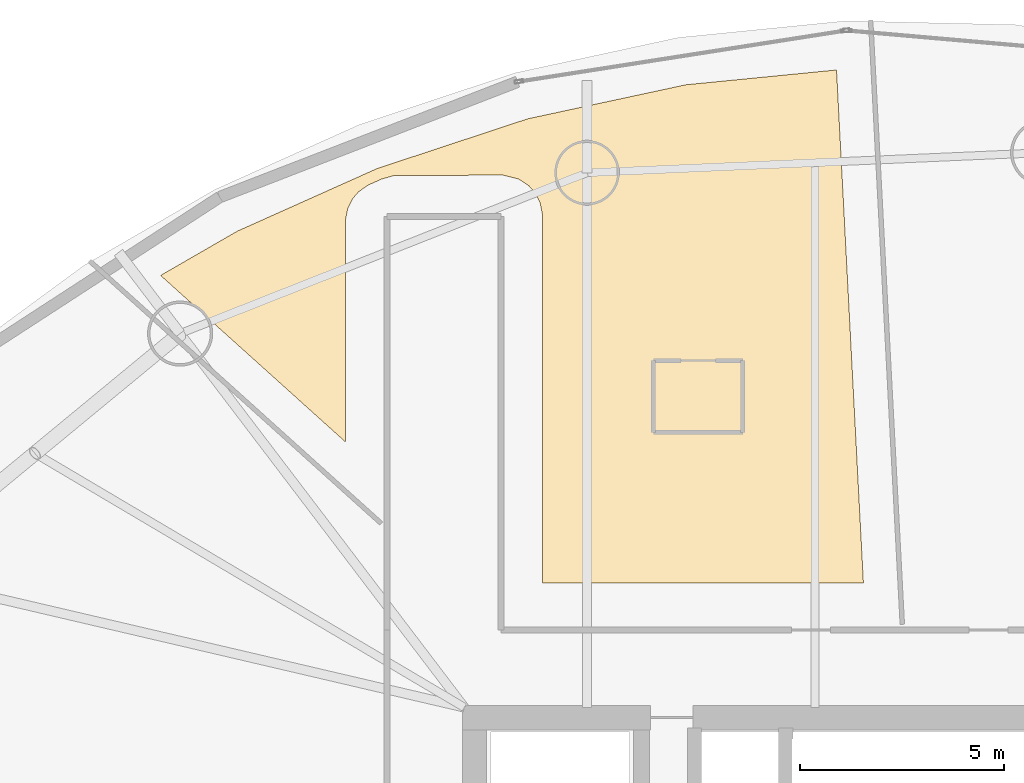
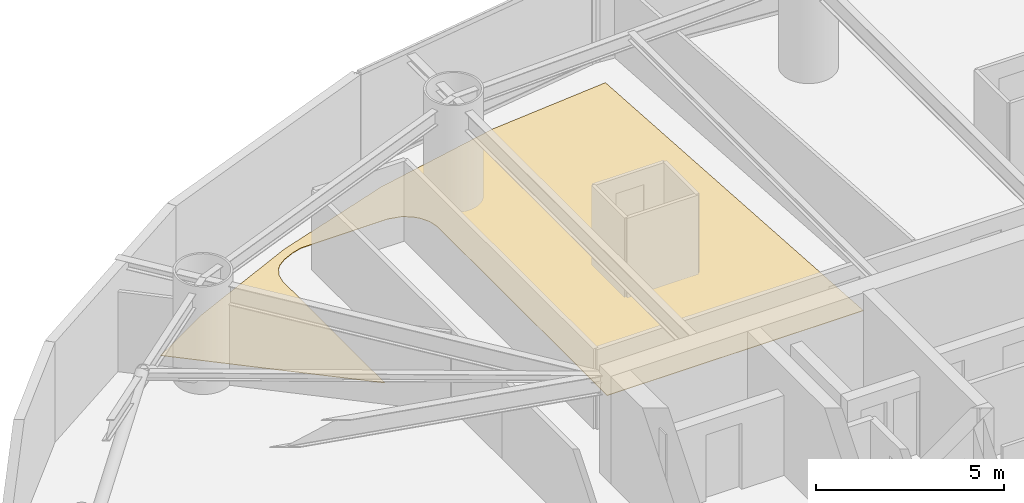
# One storey, part 24 of 24: 1 covering.
"""IFC4 building model written with IfcOpenShell, lengths in metres."""

from ifc_helpers import new_model, si_unit, direction, frame, origin, place, context, subcontext, project, spatial, polyline, outline, extrude, material, layer, layer_set, type_object, element, save


model = new_model("IFC4")

# Units and contexts
model_context = context("Model", 3, precision=1e-05, world=origin(), true_north=direction((0.0, 1.0)))
body_context = subcontext(model_context, "Body", "Model", "MODEL_VIEW")
ifc_project = project(units=[si_unit("LENGTHUNIT", "METRE"), si_unit("AREAUNIT", "SQUARE_METRE"), si_unit("VOLUMEUNIT", "CUBIC_METRE"), si_unit("PLANEANGLEUNIT", "RADIAN"), si_unit("MASSUNIT", "GRAM", prefix="KILO")], contexts=[model_context])

# Site, building, storey
site_placement = place(None, origin())
site = spatial("IfcSite", under=ifc_project, at=site_placement, CompositionType="ELEMENT")
building_placement = place(site_placement, origin())
building = spatial("IfcBuilding", under=site, at=building_placement, Name="Bramvorn Convention Spire", CompositionType="ELEMENT")
storey_placement = place(building_placement, frame((0.0, 0.0, 83.39990234375)))
storey = spatial("IfcBuildingStorey", under=building, at=storey_placement, Name="L19", CompositionType="ELEMENT", Elevation=83.39990234375)

# Covering
ifc_material = material(Name="Solution-Dyed Wool Broadloom Hospitality Carpet", Category="textile")
ifc_layer = layer(ifc_material, 0.014892578125)
ifc_layer_set = layer_set([ifc_layer], Name="Solution-Dyed Wool Broadloom Hospitality Carpet - FLR-CARPET-15")
covering_type = type_object("IfcCoveringType", Name="FLR-CARPET-15", PredefinedType="FLOORING", material=ifc_layer_set)
covering_placement = place(storey_placement, origin())
element("IfcCovering", 1, at=covering_placement, inside=storey, type_object=covering_type, Name="Hotel Suite 1903 wool broadloom carpet", PredefinedType="FLOORING", context=body_context, shape_type="SweptSolid", body=[
    extrude(outline(polyline([(21.1748046875, 45.14208984375), (19.292236328125, 44.0556640625), (23.830078125, 39.9697265625), (23.8310546875, 45.406982421875), (23.885009765625, 45.694091796875), (24.018310546875, 45.9541015625), (24.154296875, 46.109619140625), (24.3837890625, 46.27099609375), (24.718994140625, 46.421142578125), (25.0234375, 46.5078125), (27.694091796875, 46.518798828125), (28.080810546875, 46.424560546875), (28.33056640625, 46.259521484375), (28.47265625, 46.102783203125), (28.6083984375, 45.84912109375), (28.668212890625, 45.555908203125), (28.669921875, 36.5), (36.548583984375, 36.5), (35.88818359375, 49.100830078125), (32.18505859375, 48.736572265625), (28.30712890625, 47.90185546875), (24.611328125, 46.681640625), (21.1748046875, 45.14208984375)])), origin(), (0.0, 0.0, 1.0), 0.01513671875),
])

save(model, "model.ifc")
